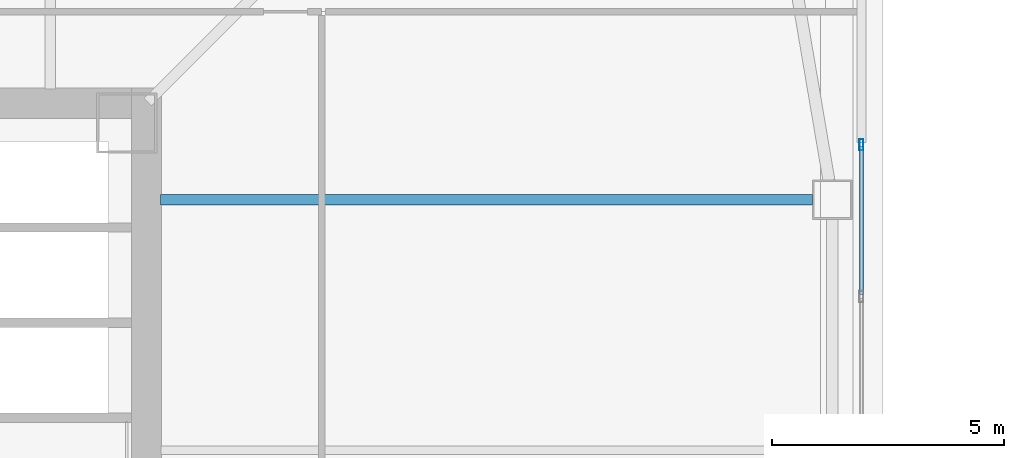
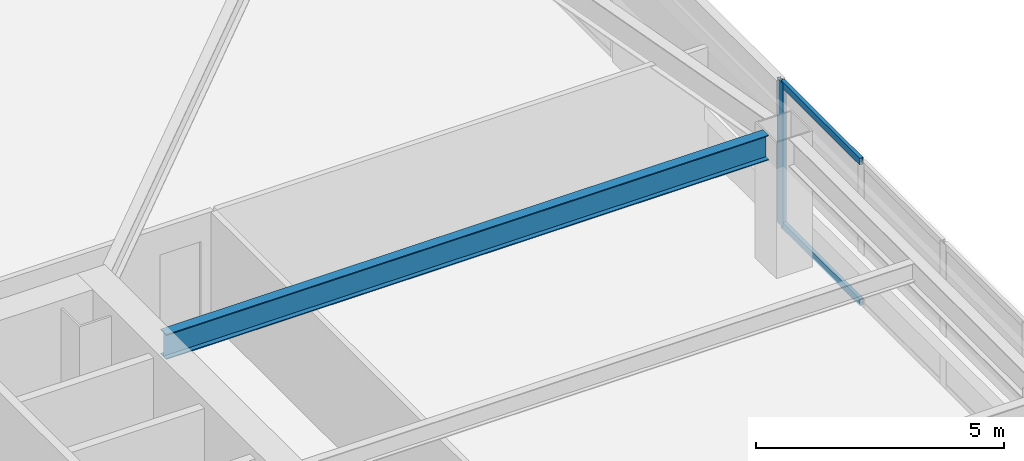
# One storey, part 15 of 47: 3 members, 1 beam, 1 element without a shape of its own.
"""IFC4 building model written with IfcOpenShell, lengths in metres."""

from ifc_helpers import new_model, si_unit, direction, frame, origin, origin_2d, place, context, subcontext, project, spatial, hollow_rectangle, i_section, extrude, material, material_profile, profile_set, type_object, element, aggregate, save


model = new_model("IFC4")

# Units and contexts
model_context = context("Model", 3, precision=1e-05, world=origin(), true_north=direction((0.0, 1.0)))
body_context = subcontext(model_context, "Body", "Model", "MODEL_VIEW")
ifc_project = project(units=[si_unit("LENGTHUNIT", "METRE"), si_unit("AREAUNIT", "SQUARE_METRE"), si_unit("VOLUMEUNIT", "CUBIC_METRE"), si_unit("PLANEANGLEUNIT", "RADIAN"), si_unit("MASSUNIT", "GRAM", prefix="KILO")], contexts=[model_context])

# Site, building, storey
site_placement = place(None, origin())
site = spatial("IfcSite", under=ifc_project, at=site_placement, CompositionType="ELEMENT")
building_placement = place(site_placement, origin())
building = spatial("IfcBuilding", under=site, at=building_placement, Name="Tashvorn Skyway Center", CompositionType="ELEMENT")
storey_placement = place(building_placement, frame((0.0, 0.0, 42.35009765625)))
storey = spatial("IfcBuildingStorey", under=building, at=storey_placement, Name="L10", CompositionType="ELEMENT", Elevation=42.35009765625)

# Beam
ifc_material_1 = material(Name="Steel ASTM A992 Grade 50", Category="steel")
ifc_material_profile_1 = material_profile(ifc_material_1, i_section(OverallWidth=0.22998046875, OverallDepth=0.616943359375, WebThickness=0.01318359375, FlangeThickness=0.022216796875, at=origin_2d()), Name="W24X94")
ifc_profile_set_1 = profile_set([ifc_material_profile_1], Name="Steel ASTM A992 Grade 50")
beam_type = type_object("IfcBeamType", Name="BM-BEAM-W24X94", PredefinedType="BEAM", material=ifc_profile_set_1)
beam_placement = place(storey_placement, frame((63.830078125, 37.39990234375, 3.04150390625), z_axis=(-1.0, 0.0, 0.0), x_axis=(0.0, -1.0, 0.0)))
element("IfcBeam", 1, at=beam_placement, inside=storey, type_object=beam_type, Name="Tower 1 L10 Primary Floor Girder FC-E2", PredefinedType="BEAM", context=body_context, shape_type="SweptSolid", body=[
    extrude(i_section(OverallWidth=0.22998046875, OverallDepth=0.616943359375, WebThickness=0.01318359375, FlangeThickness=0.022216796875, at=origin_2d()), origin(), (0.0, 0.0, 1.0), 14.050048828125),
])

# Curtain wall, members
ifc_material_2 = material(Name="Thermally broken bronze-anodized aluminium 6063-T6", Category="aluminium")
curtain_wall_type = type_object("IfcCurtainWallType", Name="CW-CW-Z1", PredefinedType="NOTDEFINED", material=ifc_material_2)
curtain_wall_placement = place(storey_placement, origin())
curtain_wall = element("IfcCurtainWall", 2, at=curtain_wall_placement, inside=storey, type_object=curtain_wall_type, Name="Tower 1 L10 East Unitised Curtain Wall Glazing Group 2", PredefinedType="NOTDEFINED")
ifc_material_profile_2 = material_profile(ifc_material_2, hollow_rectangle(XDim=0.0849609375, YDim=0.239990234375, WallThickness=0.0048828125, at=origin_2d()), Name="ALU-MULL-85x240")
ifc_profile_set_2 = profile_set([ifc_material_profile_2], Name="Thermally broken bronze-anodized aluminium 6063-T6")
member_type_1 = type_object("IfcMemberType", Name="CWM-CW-Z1", PredefinedType="MULLION", material=ifc_profile_set_2)
member_1_placement = place(storey_placement, frame((64.8798828125, 38.584228515625, 0.0), z_axis=(0.0, 0.0, 1.0), x_axis=(1.0, 0.0, 0.0)))
member_1 = element("IfcMember", 3, at=member_1_placement, type_object=member_type_1, Name="CW-Z1 mullion 1", PredefinedType="MULLION", context=body_context, shape_type="SweptSolid", body=[
    extrude(hollow_rectangle(XDim=0.0849609375, YDim=0.239990234375, WallThickness=0.0048828125, at=origin_2d()), origin(), (0.0, 0.0, 1.0), 3.5498046875),
])
ifc_material_profile_3 = material_profile(ifc_material_2, hollow_rectangle(XDim=0.0849609375, YDim=0.1650390625, WallThickness=0.0048828125, at=origin_2d()), Name="ALU-TRAN-85x165")
ifc_profile_set_3 = profile_set([ifc_material_profile_3], Name="Thermally broken bronze-anodized aluminium 6063-T6")
member_type_2 = type_object("IfcMemberType", Name="CWT-CW-Z1", PredefinedType="USERDEFINED", material=ifc_profile_set_3)
member_2_placement = place(storey_placement, frame((64.8798828125, 38.541748046875, 0.04248046875), z_axis=(0.0, -1.0, 0.0), x_axis=(1.0, 0.0, 0.0)))
member_2 = element("IfcMember", 4, at=member_2_placement, type_object=member_type_2, Name="CW-Z1 transom 1.1", ObjectType="TRANSOM", PredefinedType="USERDEFINED", context=body_context, shape_type="SweptSolid", body=[
    extrude(hollow_rectangle(XDim=0.0849609375, YDim=0.1650390625, WallThickness=0.0048828125, at=origin_2d()), origin(), (0.0, 0.0, 1.0), 3.185791015625),
])
member_3_placement = place(storey_placement, frame((64.8798828125, 38.541748046875, 3.50732421875), z_axis=(0.0, -1.0, 0.0), x_axis=(1.0, 0.0, 0.0)))
member_3 = element("IfcMember", 5, at=member_3_placement, type_object=member_type_2, Name="CW-Z1 transom 1.2", ObjectType="TRANSOM", PredefinedType="USERDEFINED", context=body_context, shape_type="SweptSolid", body=[
    extrude(hollow_rectangle(XDim=0.0849609375, YDim=0.1650390625, WallThickness=0.0048828125, at=origin_2d()), origin(), (0.0, 0.0, 1.0), 3.185791015625),
])
aggregate(curtain_wall, [member_1, member_2, member_3])

save(model, "model.ifc")
